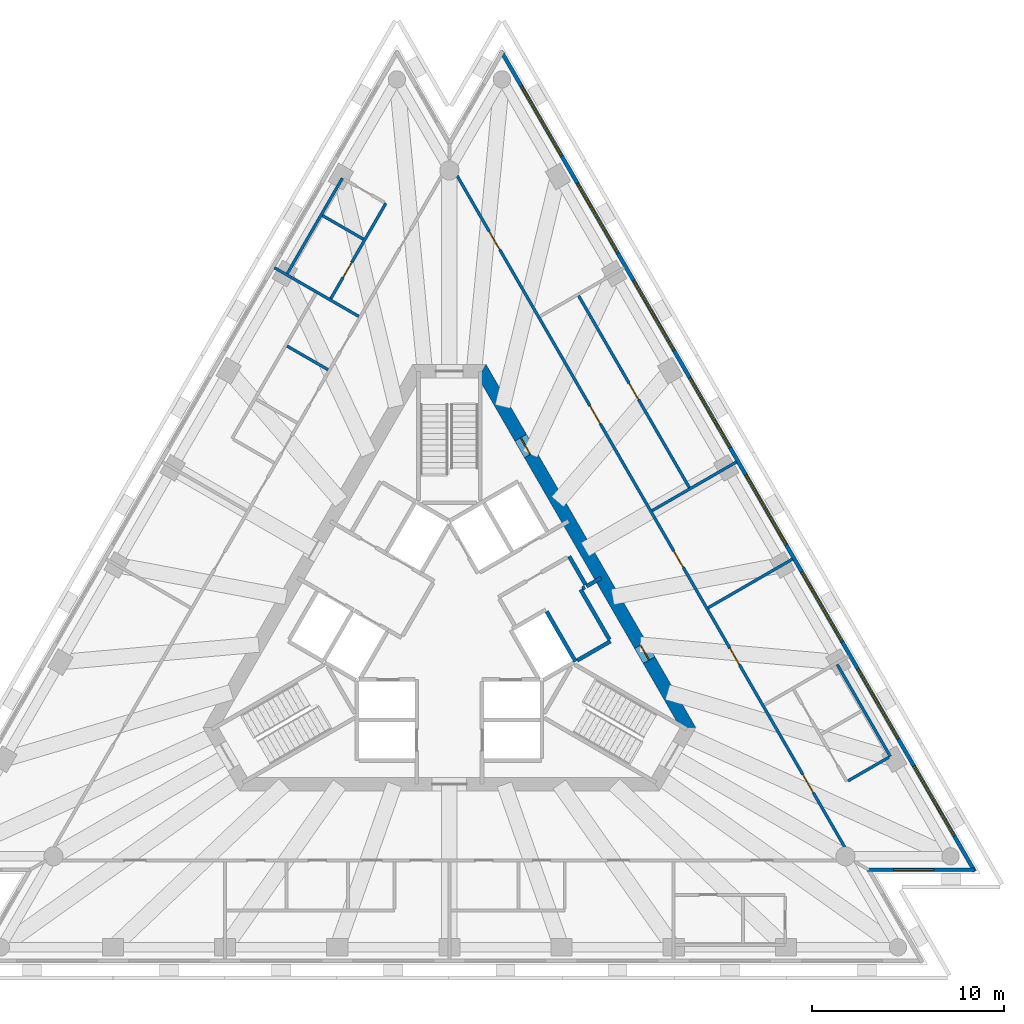
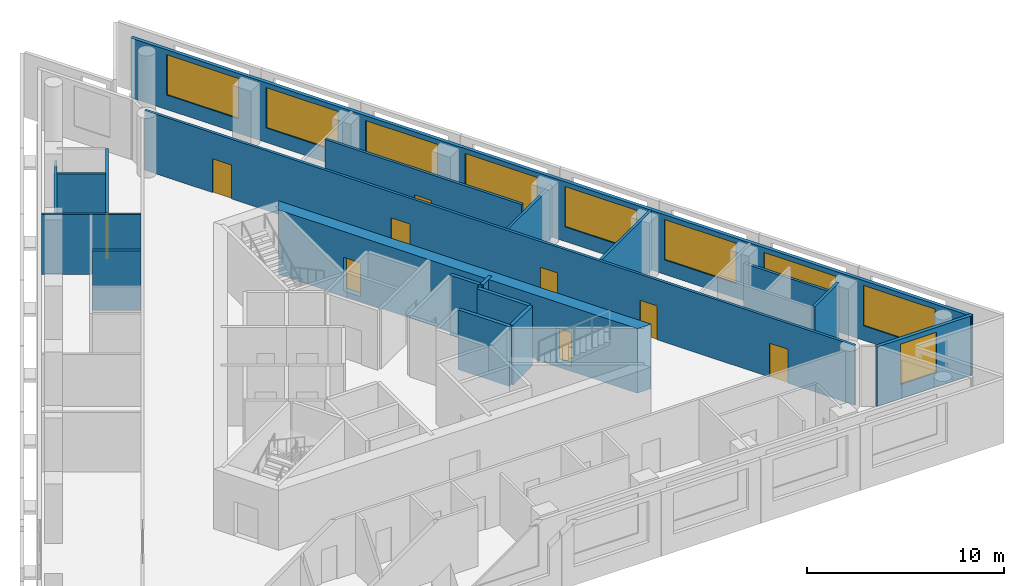
# One storey, part 6 of 10: 20 walls, 9 doors, 9 windows, 18 openings.
"""IFC4 building model written with IfcOpenShell, lengths in metres."""

from ifc_helpers import new_model, si_unit, direction, frame, frame_2d, origin, place, context, subcontext, project, spatial, polyline, rectangle, outline, extrude, material, layer, layer_set, layer_usage, type_object, element, fill, save


model = new_model("IFC4")

# Units and contexts
model_context = context("Model", 3, precision=1e-05, world=origin(), true_north=direction((0.0, 1.0)))
body_context = subcontext(model_context, "Body", "Model", "MODEL_VIEW")
ifc_project = project(units=[si_unit("LENGTHUNIT", "METRE"), si_unit("AREAUNIT", "SQUARE_METRE"), si_unit("VOLUMEUNIT", "CUBIC_METRE"), si_unit("PLANEANGLEUNIT", "RADIAN"), si_unit("MASSUNIT", "GRAM", prefix="KILO")], contexts=[model_context])

# Site, building, storey
site_placement = place(None, origin())
site = spatial("IfcSite", under=ifc_project, at=site_placement, CompositionType="ELEMENT")
building_placement = place(site_placement, origin())
building = spatial("IfcBuilding", under=site, at=building_placement, Name="Triada Interchange Tower", CompositionType="ELEMENT")
storey_placement = place(building_placement, frame((0.0, 0.0, 239.300048828125)))
storey = spatial("IfcBuildingStorey", under=building, at=storey_placement, Name="L56", CompositionType="ELEMENT", Elevation=239.300048828125)

# Walls
ifc_material_1 = material(Name="Concrete C30/37", Category="concrete")
ifc_layer_1 = layer(ifc_material_1, 0.199951171875)
ifc_layer_set_1 = layer_set([ifc_layer_1], Name="CORE WALL 200 EI 120")
wall_type_1 = type_object("IfcWallType", Name="CORE WALL 200 EI 120", PredefinedType="SOLIDWALL", material=ifc_layer_set_1)
wall_1_placement = place(storey_placement, frame((7.12890625, 2.153076171875, 0.0), z_axis=(0.0, 0.0, 1.0), x_axis=(0.866083962871, 0.499898558967, 0.0)))
element("IfcWall", 1, at=wall_1_placement, inside=storey, type_object=wall_type_1, Name="Wall L56 58", PredefinedType="SOLIDWALL", context=body_context, shape_type="SweptSolid", body=[
    extrude(rectangle(XDim=0.880126953125, YDim=0.199951171875, at=frame_2d((0.43994140625, 0.0))), origin(), (0.0, 0.0, 1.0), 3.699951171875),
])
wall_2_placement = place(storey_placement, frame((5.056884765625, 0.841064453125, 0.0), z_axis=(0.0, 0.0, 1.0), x_axis=(0.499990139034, -0.866031096941, 0.0)))
element("IfcWall", 2, at=wall_2_placement, inside=storey, type_object=wall_type_1, Name="Wall L56 61", PredefinedType="SOLIDWALL", context=body_context, shape_type="SweptSolid", body=[
    extrude(rectangle(XDim=3.0, YDim=0.199951171875, at=frame_2d((1.5, 0.0))), origin(), (0.0, 0.0, 1.0), 3.699951171875),
])
wall_3_placement = place(storey_placement, frame((6.22900390625, 3.7119140625, 0.0), z_axis=(0.0, 0.0, 1.0), x_axis=(0.499875724984, -0.86609714211, 0.0)))
element("IfcWall", 3, at=wall_3_placement, inside=storey, type_object=wall_type_1, Name="Wall L56 63", PredefinedType="SOLIDWALL", context=body_context, shape_type="SweptSolid", body=[
    extrude(rectangle(XDim=1.70068359375, YDim=0.199951171875, at=frame_2d((0.850341796875, 0.0))), origin(), (0.0, 0.0, 1.0), 3.699951171875),
])
ifc_layer_2 = layer(ifc_material_1, 0.199951171875)
ifc_layer_set_2 = layer_set([ifc_layer_2], Name="CORE WALL 200 EI 90")
wall_type_2 = type_object("IfcWallType", Name="CORE WALL 200 EI 90", PredefinedType="SOLIDWALL", material=ifc_layer_set_2)
wall_4_placement = place(storey_placement, frame((6.64208984375, -1.7080078125, 0.0), z_axis=(0.0, 0.0, 1.0), x_axis=(0.866043441391, 0.499968756647, 0.0)))
element("IfcWall", 4, at=wall_4_placement, inside=storey, type_object=wall_type_2, Name="Wall L56 81", PredefinedType="SOLIDWALL", context=body_context, shape_type="SweptSolid", body=[
    extrude(rectangle(XDim=2.002197265625, YDim=0.199951171875, at=frame_2d((1.0009765625, 0.0))), origin(), (0.0, 0.0, 1.0), 3.699951171875),
])
wall_5_placement = place(storey_placement, frame((6.825927734375, 1.97802734375, 0.0), z_axis=(0.0, 0.0, 1.0), x_axis=(0.499990139034, -0.866031096941, 0.0)))
element("IfcWall", 5, at=wall_5_placement, inside=storey, type_object=wall_type_2, Name="Wall L56 82", PredefinedType="SOLIDWALL", context=body_context, shape_type="SweptSolid", body=[
    extrude(rectangle(XDim=3.0, YDim=0.199951171875, at=frame_2d((1.5, 0.0))), origin(), (0.0, 0.0, 1.0), 3.699951171875),
])
wall_6_placement = place(storey_placement, frame((6.912109375, 2.028076171875, 0.0), z_axis=(0.0, 0.0, 1.0), x_axis=(0.866559367082, 0.499074005857, 0.0)))
element("IfcWall", 6, at=wall_6_placement, inside=storey, type_object=wall_type_2, Name="Wall L56 83", PredefinedType="SOLIDWALL", context=body_context, shape_type="SweptSolid", body=[
    extrude(rectangle(XDim=0.152099609375, YDim=0.199951171875, at=frame_2d((0.076171875, 0.0))), origin(), (0.0, 0.0, 1.0), 3.699951171875),
])

# Wall, openings, doors
ifc_material_2 = material(Name="Concrete C50/60", Category="concrete")
ifc_layer_3 = layer(ifc_material_2, 0.699951171875)
ifc_layer_set_3 = layer_set([ifc_layer_3], Name="Core wall C 700")
wall_type_3 = type_object("IfcWallType", Name="Core wall C 700", PredefinedType="SHEAR", material=ifc_layer_set_3)
wall_7_placement = place(storey_placement, frame((12.4130859375, -5.199951171875, -0.300048828125), z_axis=(0.0, 0.0, 1.0), x_axis=(-0.500011533395, 0.866018744874, 0.0)))
wall_7 = element("IfcWall", 7, at=wall_7_placement, inside=storey, type_object=wall_type_3, Name="Core wall WC06 L56", PredefinedType="SHEAR", context=body_context, shape_type="SweptSolid", body=[
    extrude(outline(polyline([(-0.201904296875, -0.35009765625), (1.781982421875, -0.35009765625), (3.76611328125, -0.35009765625), (5.75, -0.35009765625), (7.734130859375, -0.35009765625), (9.718017578125, -0.35009765625), (11.7021484375, -0.35009765625), (13.68603515625, -0.35009765625), (15.670166015625, -0.35009765625), (17.654052734375, -0.35009765625), (19.63818359375, -0.35009765625), (21.6220703125, -0.35009765625), (21.218017578125, 0.35009765625), (19.307373046875, 0.35009765625), (17.39697265625, 0.35009765625), (15.486328125, 0.35009765625), (13.57568359375, 0.35009765625), (11.665283203125, 0.35009765625), (9.754638671875, 0.35009765625), (7.84423828125, 0.35009765625), (5.93359375, 0.35009765625), (4.02294921875, 0.35009765625), (2.112548828125, 0.35009765625), (0.201904296875, 0.35009765625), (-0.201904296875, -0.35009765625)])), origin(), (0.0, 0.0, 1.0), 4.0),
])
opening_1_placement = place(wall_7_placement, frame((4.054931640625, 0.0, 0.300048828125)))
opening_1 = element("IfcOpeningElement", 8, at=opening_1_placement, cuts=wall_7, Name="Opening D56-44", PredefinedType="OPENING", context=body_context, shape_type="SweptSolid", body=[
    extrude(rectangle(XDim=0.89990234375, YDim=2.10009765625, at=frame_2d((0.449951171875, 1.050048828125))), frame((0.0, 0.360107421875, 0.0), z_axis=(0.0, -1.0, 0.0), x_axis=(1.0, 0.0, 0.0)), (0.0, 0.0, 1.0), 0.72021484375),
])
opening_2_placement = place(wall_7_placement, frame((16.4150390625, 0.0, 0.300048828125)))
opening_2 = element("IfcOpeningElement", 9, at=opening_2_placement, cuts=wall_7, Name="Opening D56-45", PredefinedType="OPENING", context=body_context, shape_type="SweptSolid", body=[
    extrude(rectangle(XDim=1.0, YDim=2.10009765625, at=frame_2d((0.5, 1.050048828125))), frame((0.0, 0.360107421875, 0.0), z_axis=(0.0, -1.0, 0.0), x_axis=(1.0, 0.0, 0.0)), (0.0, 0.0, 1.0), 0.72021484375),
])
ifc_material_3 = material(Name="Steel S235 door leaf", Category="steel")
door_type_1 = type_object("IfcDoorType", Name="SERVICE DOOR 1000 EI2 45-C5S200", OperationType="NOTDEFINED", PredefinedType="DOOR", material=ifc_material_3)
door_1_placement = place(opening_2_placement, origin())
door_1 = element("IfcDoor", 10, at=door_1_placement, inside=storey, type_object=door_type_1, Name="Door D56-45 L56", OperationType="SINGLE_SWING_RIGHT", OverallHeight=2.10009765625, OverallWidth=1.0, PredefinedType="DOOR", context=body_context, shape_type="SweptSolid", body=[
    extrude(rectangle(XDim=1.0, YDim=2.10009765625, at=frame_2d((0.5, 1.050048828125))), frame((0.0, 0.02490234375, 0.0), z_axis=(0.0, -1.0, 0.0), x_axis=(1.0, 0.0, 0.0)), (0.0, 0.0, 1.0), 0.050048828125),
])
fill(opening_2, door_1)
door_type_2 = type_object("IfcDoorType", Name="SERVICE DOOR 900 EI2 45-C5S200", OperationType="NOTDEFINED", PredefinedType="DOOR", material=ifc_material_3)
door_2_placement = place(opening_1_placement, origin())
door_2 = element("IfcDoor", 11, at=door_2_placement, inside=storey, type_object=door_type_2, Name="Door D56-44 L56", OperationType="SINGLE_SWING_RIGHT", OverallHeight=2.10009765625, OverallWidth=0.89990234375, PredefinedType="DOOR", context=body_context, shape_type="SweptSolid", body=[
    extrude(rectangle(XDim=0.89990234375, YDim=2.10009765625, at=frame_2d((0.449951171875, 1.050048828125))), frame((0.0, 0.02490234375, 0.0), z_axis=(0.0, -1.0, 0.0), x_axis=(1.0, 0.0, 0.0)), (0.0, 0.0, 1.0), 0.050048828125),
])
fill(opening_1, door_2)

# Wall, opening, window
ifc_material_4 = material(Name="Cement board")
ifc_layer_4 = layer(ifc_material_4, 0.02001953125, Name="Cement board cladding")
ifc_material_5 = material(Name="Sheathing board")
ifc_layer_5 = layer(ifc_material_5, 0.014892578125, Name="Sheathing board")
ifc_material_6 = material(Name="Mineral wool")
ifc_layer_6 = layer(ifc_material_6, 0.14990234375, Name="Mineral wool between steel studs")
ifc_material_7 = material(Name="Gypsum board")
ifc_layer_7 = layer(ifc_material_7, 0.014892578125, Name="Plasterboard lining")
ifc_layer_set_4 = layer_set([ifc_layer_4, ifc_layer_5, ifc_layer_6, ifc_layer_7], Name="External wall 200")
ifc_layer_usage = layer_usage(ifc_layer_set_4, "AXIS2", "POSITIVE", -0.10009765625)
wall_type_4 = type_object("IfcWallType", Name="External wall 200", PredefinedType="ELEMENTEDWALL", material=ifc_layer_set_4)
wall_8_placement = place(storey_placement, frame((21.720947265625, -12.593017578125, 0.0), z_axis=(0.0, 0.0, 1.0), x_axis=(1.0, 0.0, 0.0)))
wall_8 = element("IfcWall", 12, at=wall_8_placement, inside=storey, type_object=wall_type_4, material=ifc_layer_usage, Name="External wall L56 SE-2", PredefinedType="ELEMENTEDWALL", context=body_context, shape_type="SweptSolid", body=[
    extrude(rectangle(XDim=5.6240234375, YDim=0.199951171875, at=frame_2d((2.81201171875, 0.0))), origin(), (0.0, 0.0, 1.0), 3.699951171875),
])
opening_3_placement = place(wall_8_placement, frame((1.389892578125, 0.0, 0.89990234375)))
opening_3 = element("IfcOpeningElement", 13, at=opening_3_placement, cuts=wall_8, Name="Opening WC20", PredefinedType="OPENING", context=body_context, shape_type="SweptSolid", body=[
    extrude(rectangle(XDim=2.10009765625, YDim=2.5, at=frame_2d((1.050048828125, 1.25))), frame((0.0, 0.10986328125, 0.0), z_axis=(0.0, -1.0, 0.0), x_axis=(1.0, 0.0, 0.0)), (0.0, 0.0, 1.0), 0.219970703125),
])
ifc_material_8 = material(Name="Double glazed aluminium window", Category="aluminium")
window_type_1 = type_object("IfcWindowType", Name="Ribbon window C pocket", PartitioningType="SINGLE_PANEL", PredefinedType="WINDOW", material=ifc_material_8)
window_1_placement = place(opening_3_placement, origin())
window_1 = element("IfcWindow", 14, at=window_1_placement, inside=storey, type_object=window_type_1, Name="Window L56 SE-2 1", OverallHeight=2.5, OverallWidth=2.10009765625, PartitioningType="SINGLE_PANEL", PredefinedType="WINDOW", context=body_context, shape_type="SweptSolid", body=[
    extrude(rectangle(XDim=2.10009765625, YDim=2.5, at=frame_2d((1.050048828125, 1.25))), frame((0.0, 0.030029296875, 0.0), z_axis=(0.0, -1.0, 0.0), x_axis=(1.0, 0.0, 0.0)), (0.0, 0.0, 1.0), 0.06005859375),
])
fill(opening_3, window_1)

# Wall, openings, windows
wall_9_placement = place(storey_placement, frame((27.320068359375, -12.6708984375, 0.0), z_axis=(0.0, 0.0, 1.0), x_axis=(-0.499995097538, 0.866028234204, 0.0)))
wall_9 = element("IfcWall", 15, at=wall_9_placement, inside=storey, type_object=wall_type_4, material=ifc_layer_usage, Name="External wall L56 NE", PredefinedType="ELEMENTEDWALL", context=body_context, shape_type="SweptSolid", body=[
    extrude(rectangle(XDim=49.24658203125, YDim=0.199951171875, at=frame_2d((24.623291015625, 0.0))), origin(), (0.0, 0.0, 1.0), 3.699951171875),
])
opening_4_placement = place(wall_9_placement, frame((2.118896484375, 0.0, 0.89990234375)))
opening_4 = element("IfcOpeningElement", 16, at=opening_4_placement, cuts=wall_9, Name="Opening WC21", PredefinedType="OPENING", context=body_context, shape_type="SweptSolid", body=[
    extrude(rectangle(XDim=4.199951171875, YDim=2.5, at=frame_2d((2.10009765625, 1.25))), frame((0.0, 0.10986328125, 0.0), z_axis=(0.0, -1.0, 0.0), x_axis=(1.0, 0.0, 0.0)), (0.0, 0.0, 1.0), 0.219970703125),
])
opening_5_placement = place(wall_9_placement, frame((7.951904296875, 0.0, 0.89990234375)))
opening_5 = element("IfcOpeningElement", 17, at=opening_5_placement, cuts=wall_9, Name="Opening WC22", PredefinedType="OPENING", context=body_context, shape_type="SweptSolid", body=[
    extrude(rectangle(XDim=4.199951171875, YDim=2.5, at=frame_2d((2.10009765625, 1.25))), frame((0.0, 0.10986328125, 0.0), z_axis=(0.0, -1.0, 0.0), x_axis=(1.0, 0.0, 0.0)), (0.0, 0.0, 1.0), 0.219970703125),
])
opening_6_placement = place(wall_9_placement, frame((13.783935546875, 0.0, 0.89990234375)))
opening_6 = element("IfcOpeningElement", 18, at=opening_6_placement, cuts=wall_9, Name="Opening WC23", PredefinedType="OPENING", context=body_context, shape_type="SweptSolid", body=[
    extrude(rectangle(XDim=4.199951171875, YDim=2.5, at=frame_2d((2.10009765625, 1.25))), frame((0.0, 0.10986328125, 0.0), z_axis=(0.0, -1.0, 0.0), x_axis=(1.0, 0.0, 0.0)), (0.0, 0.0, 1.0), 0.219970703125),
])
opening_7_placement = place(wall_9_placement, frame((19.616943359375, 0.0, 0.89990234375)))
opening_7 = element("IfcOpeningElement", 19, at=opening_7_placement, cuts=wall_9, Name="Opening WC24", PredefinedType="OPENING", context=body_context, shape_type="SweptSolid", body=[
    extrude(rectangle(XDim=4.199951171875, YDim=2.5, at=frame_2d((2.10009765625, 1.25))), frame((0.0, 0.10986328125, 0.0), z_axis=(0.0, -1.0, 0.0), x_axis=(1.0, 0.0, 0.0)), (0.0, 0.0, 1.0), 0.219970703125),
])
opening_8_placement = place(wall_9_placement, frame((25.449951171875, 0.0, 0.89990234375)))
opening_8 = element("IfcOpeningElement", 20, at=opening_8_placement, cuts=wall_9, Name="Opening WC25", PredefinedType="OPENING", context=body_context, shape_type="SweptSolid", body=[
    extrude(rectangle(XDim=4.199951171875, YDim=2.5, at=frame_2d((2.10009765625, 1.25))), frame((0.0, 0.10986328125, 0.0), z_axis=(0.0, -1.0, 0.0), x_axis=(1.0, 0.0, 0.0)), (0.0, 0.0, 1.0), 0.219970703125),
])
opening_9_placement = place(wall_9_placement, frame((31.281982421875, 0.0, 0.89990234375)))
opening_9 = element("IfcOpeningElement", 21, at=opening_9_placement, cuts=wall_9, Name="Opening WC26", PredefinedType="OPENING", context=body_context, shape_type="SweptSolid", body=[
    extrude(rectangle(XDim=4.199951171875, YDim=2.5, at=frame_2d((2.10009765625, 1.25))), frame((0.0, 0.10986328125, 0.0), z_axis=(0.0, -1.0, 0.0), x_axis=(1.0, 0.0, 0.0)), (0.0, 0.0, 1.0), 0.219970703125),
])
opening_10_placement = place(wall_9_placement, frame((37.114990234375, 0.0, 0.89990234375)))
opening_10 = element("IfcOpeningElement", 22, at=opening_10_placement, cuts=wall_9, Name="Opening WC27", PredefinedType="OPENING", context=body_context, shape_type="SweptSolid", body=[
    extrude(rectangle(XDim=4.199951171875, YDim=2.5, at=frame_2d((2.10009765625, 1.25))), frame((0.0, 0.10986328125, 0.0), z_axis=(0.0, -1.0, 0.0), x_axis=(1.0, 0.0, 0.0)), (0.0, 0.0, 1.0), 0.219970703125),
])
opening_11_placement = place(wall_9_placement, frame((42.947021484375, 0.0, 0.89990234375)))
opening_11 = element("IfcOpeningElement", 23, at=opening_11_placement, cuts=wall_9, Name="Opening WC28", PredefinedType="OPENING", context=body_context, shape_type="SweptSolid", body=[
    extrude(rectangle(XDim=4.199951171875, YDim=2.5, at=frame_2d((2.10009765625, 1.25))), frame((0.0, 0.10986328125, 0.0), z_axis=(0.0, -1.0, 0.0), x_axis=(1.0, 0.0, 0.0)), (0.0, 0.0, 1.0), 0.219970703125),
])
window_type_2 = type_object("IfcWindowType", Name="Ribbon window C face", PartitioningType="SINGLE_PANEL", PredefinedType="WINDOW", material=ifc_material_8)
window_2_placement = place(opening_4_placement, origin())
window_2 = element("IfcWindow", 24, at=window_2_placement, inside=storey, type_object=window_type_2, Name="Window L56 NE 1", OverallHeight=2.5, OverallWidth=4.199951171875, PartitioningType="SINGLE_PANEL", PredefinedType="WINDOW", context=body_context, shape_type="SweptSolid", body=[
    extrude(rectangle(XDim=4.199951171875, YDim=2.5, at=frame_2d((2.10009765625, 1.25))), frame((0.0, 0.030029296875, 0.0), z_axis=(0.0, -1.0, 0.0), x_axis=(1.0, 0.0, 0.0)), (0.0, 0.0, 1.0), 0.06005859375),
])
fill(opening_4, window_2)
window_3_placement = place(opening_5_placement, origin())
window_3 = element("IfcWindow", 25, at=window_3_placement, inside=storey, type_object=window_type_2, Name="Window L56 NE 2", OverallHeight=2.5, OverallWidth=4.199951171875, PartitioningType="SINGLE_PANEL", PredefinedType="WINDOW", context=body_context, shape_type="SweptSolid", body=[
    extrude(rectangle(XDim=4.199951171875, YDim=2.5, at=frame_2d((2.10009765625, 1.25))), frame((0.0, 0.030029296875, 0.0), z_axis=(0.0, -1.0, 0.0), x_axis=(1.0, 0.0, 0.0)), (0.0, 0.0, 1.0), 0.06005859375),
])
fill(opening_5, window_3)
window_4_placement = place(opening_6_placement, origin())
window_4 = element("IfcWindow", 26, at=window_4_placement, inside=storey, type_object=window_type_2, Name="Window L56 NE 3", OverallHeight=2.5, OverallWidth=4.199951171875, PartitioningType="SINGLE_PANEL", PredefinedType="WINDOW", context=body_context, shape_type="SweptSolid", body=[
    extrude(rectangle(XDim=4.199951171875, YDim=2.5, at=frame_2d((2.10009765625, 1.25))), frame((0.0, 0.030029296875, 0.0), z_axis=(0.0, -1.0, 0.0), x_axis=(1.0, 0.0, 0.0)), (0.0, 0.0, 1.0), 0.06005859375),
])
fill(opening_6, window_4)
window_5_placement = place(opening_7_placement, origin())
window_5 = element("IfcWindow", 27, at=window_5_placement, inside=storey, type_object=window_type_2, Name="Window L56 NE 4", OverallHeight=2.5, OverallWidth=4.199951171875, PartitioningType="SINGLE_PANEL", PredefinedType="WINDOW", context=body_context, shape_type="SweptSolid", body=[
    extrude(rectangle(XDim=4.199951171875, YDim=2.5, at=frame_2d((2.10009765625, 1.25))), frame((0.0, 0.030029296875, 0.0), z_axis=(0.0, -1.0, 0.0), x_axis=(1.0, 0.0, 0.0)), (0.0, 0.0, 1.0), 0.06005859375),
])
fill(opening_7, window_5)
window_6_placement = place(opening_8_placement, origin())
window_6 = element("IfcWindow", 28, at=window_6_placement, inside=storey, type_object=window_type_2, Name="Window L56 NE 5", OverallHeight=2.5, OverallWidth=4.199951171875, PartitioningType="SINGLE_PANEL", PredefinedType="WINDOW", context=body_context, shape_type="SweptSolid", body=[
    extrude(rectangle(XDim=4.199951171875, YDim=2.5, at=frame_2d((2.10009765625, 1.25))), frame((0.0, 0.030029296875, 0.0), z_axis=(0.0, -1.0, 0.0), x_axis=(1.0, 0.0, 0.0)), (0.0, 0.0, 1.0), 0.06005859375),
])
fill(opening_8, window_6)
window_7_placement = place(opening_9_placement, origin())
window_7 = element("IfcWindow", 29, at=window_7_placement, inside=storey, type_object=window_type_2, Name="Window L56 NE 6", OverallHeight=2.5, OverallWidth=4.199951171875, PartitioningType="SINGLE_PANEL", PredefinedType="WINDOW", context=body_context, shape_type="SweptSolid", body=[
    extrude(rectangle(XDim=4.199951171875, YDim=2.5, at=frame_2d((2.10009765625, 1.25))), frame((0.0, 0.030029296875, 0.0), z_axis=(0.0, -1.0, 0.0), x_axis=(1.0, 0.0, 0.0)), (0.0, 0.0, 1.0), 0.06005859375),
])
fill(opening_9, window_7)
window_8_placement = place(opening_10_placement, origin())
window_8 = element("IfcWindow", 30, at=window_8_placement, inside=storey, type_object=window_type_2, Name="Window L56 NE 7", OverallHeight=2.5, OverallWidth=4.199951171875, PartitioningType="SINGLE_PANEL", PredefinedType="WINDOW", context=body_context, shape_type="SweptSolid", body=[
    extrude(rectangle(XDim=4.199951171875, YDim=2.5, at=frame_2d((2.10009765625, 1.25))), frame((0.0, 0.030029296875, 0.0), z_axis=(0.0, -1.0, 0.0), x_axis=(1.0, 0.0, 0.0)), (0.0, 0.0, 1.0), 0.06005859375),
])
fill(opening_10, window_8)
window_9_placement = place(opening_11_placement, origin())
window_9 = element("IfcWindow", 31, at=window_9_placement, inside=storey, type_object=window_type_2, Name="Window L56 NE 8", OverallHeight=2.5, OverallWidth=4.199951171875, PartitioningType="SINGLE_PANEL", PredefinedType="WINDOW", context=body_context, shape_type="SweptSolid", body=[
    extrude(rectangle(XDim=4.199951171875, YDim=2.5, at=frame_2d((2.10009765625, 1.25))), frame((0.0, 0.030029296875, 0.0), z_axis=(0.0, -1.0, 0.0), x_axis=(1.0, 0.0, 0.0)), (0.0, 0.0, 1.0), 0.06005859375),
])
fill(opening_11, window_9)

# Walls
ifc_material_9 = material(Name="Gypsum board partition")
ifc_layer_8 = layer(ifc_material_9, 0.14990234375)
ifc_layer_set_5 = layer_set([ifc_layer_8], Name="PARTITION 150 EI 180")
wall_type_5 = type_object("IfcWallType", Name="PARTITION 150 EI 180", PredefinedType="PARTITIONING", material=ifc_layer_set_5)
wall_10_placement = place(storey_placement, frame((10.5439453125, 6.087890625, 0.0), z_axis=(0.0, 0.0, 1.0), x_axis=(0.866065287345, 0.499930913282, 0.0)))
element("IfcWall", 32, at=wall_10_placement, inside=storey, type_object=wall_type_5, Name="Wall L56 2", PredefinedType="PARTITIONING", context=body_context, shape_type="SweptSolid", body=[
    extrude(rectangle(XDim=5.069091796875, YDim=0.14990234375, at=frame_2d((2.53466796875, 0.0))), origin(), (0.0, 0.0, 1.0), 3.199951171875),
])
wall_11_placement = place(storey_placement, frame((-9.10107421875, 18.72412109375, 0.0), z_axis=(0.0, 0.0, 1.0), x_axis=(0.866065287345, -0.499930913282, 0.0)))
element("IfcWall", 33, at=wall_11_placement, inside=storey, type_object=wall_type_5, Name="Wall L56 14", PredefinedType="PARTITIONING", context=body_context, shape_type="SweptSolid", body=[
    extrude(rectangle(XDim=5.069091796875, YDim=0.14990234375, at=frame_2d((2.53466796875, 0.0))), origin(), (0.0, 0.0, 1.0), 3.699951171875),
])
wall_12_placement = place(storey_placement, frame((-8.444091796875, 14.64892578125, 0.0), z_axis=(0.0, 0.0, 1.0), x_axis=(0.86612451545, -0.499828294254, 0.0)))
element("IfcWall", 34, at=wall_12_placement, inside=storey, type_object=wall_type_5, Name="Wall L56 15", PredefinedType="PARTITIONING", context=body_context, shape_type="SweptSolid", body=[
    extrude(rectangle(XDim=2.462646484375, YDim=0.14990234375, at=frame_2d((1.2314453125, 0.0))), origin(), (0.0, 0.0, 1.0), 3.699951171875),
])

# Wall, openings, doors
wall_13_placement = place(storey_placement, frame((0.074951171875, 24.070068359375, 0.0), z_axis=(0.0, 0.0, 1.0), x_axis=(0.500006834213, -0.866021458014, 0.0)))
wall_13 = element("IfcWall", 35, at=wall_13_placement, inside=storey, type_object=wall_type_5, Name="Wall L56 21", PredefinedType="PARTITIONING", context=body_context, shape_type="SweptSolid", body=[
    extrude(rectangle(XDim=41.61572265625, YDim=0.14990234375, at=frame_2d((20.807861328125, 0.0))), origin(), (0.0, 0.0, 1.0), 3.699951171875),
])
opening_12_placement = place(wall_13_placement, frame((36.615966796875, 0.0, 0.0)))
opening_12 = element("IfcOpeningElement", 36, at=opening_12_placement, cuts=wall_13, Name="Opening D56-22", PredefinedType="OPENING", context=body_context, shape_type="SweptSolid", body=[
    extrude(rectangle(XDim=1.10009765625, YDim=2.10009765625, at=frame_2d((0.550048828125, 1.050048828125))), frame((0.0, 0.0849609375, 0.0), z_axis=(0.0, -1.0, 0.0), x_axis=(1.0, 0.0, 0.0)), (0.0, 0.0, 1.0), 0.169921875),
])
opening_13_placement = place(wall_13_placement, frame((29.02392578125, 0.0, 0.0)))
opening_13 = element("IfcOpeningElement", 37, at=opening_13_placement, cuts=wall_13, Name="Opening D56-25", PredefinedType="OPENING", context=body_context, shape_type="SweptSolid", body=[
    extrude(rectangle(XDim=1.0, YDim=2.10009765625, at=frame_2d((0.5, 1.050048828125))), frame((0.0, 0.0849609375, 0.0), z_axis=(0.0, -1.0, 0.0), x_axis=(1.0, 0.0, 0.0)), (0.0, 0.0, 1.0), 0.169921875),
])
opening_14_placement = place(wall_13_placement, frame((23.18994140625, 0.0, 0.0)))
opening_14 = element("IfcOpeningElement", 38, at=opening_14_placement, cuts=wall_13, Name="Opening D56-26", PredefinedType="OPENING", context=body_context, shape_type="SweptSolid", body=[
    extrude(rectangle(XDim=1.0, YDim=2.10009765625, at=frame_2d((0.5, 1.050048828125))), frame((0.0, 0.0849609375, 0.0), z_axis=(0.0, -1.0, 0.0), x_axis=(1.0, 0.0, 0.0)), (0.0, 0.0, 1.0), 0.169921875),
])
opening_15_placement = place(wall_13_placement, frame((14.4580078125, 0.0, 0.0)))
opening_15 = element("IfcOpeningElement", 39, at=opening_15_placement, cuts=wall_13, Name="Opening D56-27", PredefinedType="OPENING", context=body_context, shape_type="SweptSolid", body=[
    extrude(rectangle(XDim=1.10009765625, YDim=2.10009765625, at=frame_2d((0.550048828125, 1.050048828125))), frame((0.0, 0.0849609375, 0.0), z_axis=(0.0, -1.0, 0.0), x_axis=(1.0, 0.0, 0.0)), (0.0, 0.0, 1.0), 0.169921875),
])
opening_16_placement = place(wall_13_placement, frame((3.992919921875, 0.0, 0.0)))
opening_16 = element("IfcOpeningElement", 40, at=opening_16_placement, cuts=wall_13, Name="Opening D56-29", PredefinedType="OPENING", context=body_context, shape_type="SweptSolid", body=[
    extrude(rectangle(XDim=1.10009765625, YDim=2.10009765625, at=frame_2d((0.550048828125, 1.050048828125))), frame((0.0, 0.0849609375, 0.0), z_axis=(0.0, -1.0, 0.0), x_axis=(1.0, 0.0, 0.0)), (0.0, 0.0, 1.0), 0.169921875),
])
door_type_3 = type_object("IfcDoorType", Name="ROOM DOOR 1000 EI2 90-C5S200", OperationType="NOTDEFINED", PredefinedType="DOOR", material=ifc_material_3)
door_3_placement = place(opening_13_placement, origin())
door_3 = element("IfcDoor", 41, at=door_3_placement, inside=storey, type_object=door_type_3, Name="Door D56-25 L56", OperationType="SINGLE_SWING_RIGHT", OverallHeight=2.10009765625, OverallWidth=1.0, PredefinedType="DOOR", context=body_context, shape_type="SweptSolid", body=[
    extrude(rectangle(XDim=1.0, YDim=2.10009765625, at=frame_2d((0.5, 1.050048828125))), frame((0.0, 0.02490234375, 0.0), z_axis=(0.0, -1.0, 0.0), x_axis=(1.0, 0.0, 0.0)), (0.0, 0.0, 1.0), 0.050048828125),
])
fill(opening_13, door_3)
door_4_placement = place(opening_14_placement, origin())
door_4 = element("IfcDoor", 42, at=door_4_placement, inside=storey, type_object=door_type_3, Name="Door D56-26 L56", OperationType="SINGLE_SWING_RIGHT", OverallHeight=2.10009765625, OverallWidth=1.0, PredefinedType="DOOR", context=body_context, shape_type="SweptSolid", body=[
    extrude(rectangle(XDim=1.0, YDim=2.10009765625, at=frame_2d((0.5, 1.050048828125))), frame((0.0, 0.02490234375, 0.0), z_axis=(0.0, -1.0, 0.0), x_axis=(1.0, 0.0, 0.0)), (0.0, 0.0, 1.0), 0.050048828125),
])
fill(opening_14, door_4)
door_type_4 = type_object("IfcDoorType", Name="TENANCY ENTRANCE DOOR 1100 EI2 90-C5S200", OperationType="NOTDEFINED", PredefinedType="DOOR", material=ifc_material_3)
door_5_placement = place(opening_12_placement, origin())
door_5 = element("IfcDoor", 43, at=door_5_placement, inside=storey, type_object=door_type_4, Name="Door D56-22 L56", OperationType="SINGLE_SWING_RIGHT", OverallHeight=2.10009765625, OverallWidth=1.10009765625, PredefinedType="DOOR", context=body_context, shape_type="SweptSolid", body=[
    extrude(rectangle(XDim=1.10009765625, YDim=2.10009765625, at=frame_2d((0.550048828125, 1.050048828125))), frame((0.0, 0.02490234375, 0.0), z_axis=(0.0, -1.0, 0.0), x_axis=(1.0, 0.0, 0.0)), (0.0, 0.0, 1.0), 0.050048828125),
])
fill(opening_12, door_5)
door_6_placement = place(opening_15_placement, origin())
door_6 = element("IfcDoor", 44, at=door_6_placement, inside=storey, type_object=door_type_4, Name="Door D56-27 L56", OperationType="SINGLE_SWING_LEFT", OverallHeight=2.10009765625, OverallWidth=1.10009765625, PredefinedType="DOOR", context=body_context, shape_type="SweptSolid", body=[
    extrude(rectangle(XDim=1.10009765625, YDim=2.10009765625, at=frame_2d((0.550048828125, 1.050048828125))), frame((0.0, 0.02490234375, 0.0), z_axis=(0.0, -1.0, 0.0), x_axis=(1.0, 0.0, 0.0)), (0.0, 0.0, 1.0), 0.050048828125),
])
fill(opening_15, door_6)
door_7_placement = place(opening_16_placement, origin())
door_7 = element("IfcDoor", 45, at=door_7_placement, inside=storey, type_object=door_type_4, Name="Door D56-29 L56", OperationType="SINGLE_SWING_LEFT", OverallHeight=2.10009765625, OverallWidth=1.10009765625, PredefinedType="DOOR", context=body_context, shape_type="SweptSolid", body=[
    extrude(rectangle(XDim=1.10009765625, YDim=2.10009765625, at=frame_2d((0.550048828125, 1.050048828125))), frame((0.0, 0.02490234375, 0.0), z_axis=(0.0, -1.0, 0.0), x_axis=(1.0, 0.0, 0.0)), (0.0, 0.0, 1.0), 0.050048828125),
])
fill(opening_16, door_7)

# Walls
wall_14_placement = place(storey_placement, frame((13.4599609375, 1.037109375, 0.0), z_axis=(0.0, 0.0, 1.0), x_axis=(0.866086140321, 0.499894786475, 0.0)))
element("IfcWall", 46, at=wall_14_placement, inside=storey, type_object=wall_type_5, Name="Wall L56 26", PredefinedType="PARTITIONING", context=body_context, shape_type="SweptSolid", body=[
    extrude(rectangle(XDim=5.06884765625, YDim=0.14990234375, at=frame_2d((2.534423828125, 0.0))), origin(), (0.0, 0.0, 1.0), 3.699951171875),
])
ifc_layer_9 = layer(ifc_material_9, 0.14990234375)
ifc_layer_set_6 = layer_set([ifc_layer_9], Name="PARTITION 150 EI 90")
wall_type_6 = type_object("IfcWallType", Name="PARTITION 150 EI 90", PredefinedType="PARTITIONING", material=ifc_layer_set_6)
wall_15_placement = place(storey_placement, frame((-8.429931640625, 18.423095703125, 0.0), z_axis=(0.0, 0.0, 1.0), x_axis=(0.500069422629, 0.865985318901, 0.0)))
element("IfcWall", 47, at=wall_15_placement, inside=storey, type_object=wall_type_6, Name="Wall L56 28", PredefinedType="PARTITIONING", context=body_context, shape_type="SweptSolid", body=[
    extrude(rectangle(XDim=5.725341796875, YDim=0.14990234375, at=frame_2d((2.86279296875, 0.0))), origin(), (0.0, 0.0, 1.0), 2.949951171875),
])

# Wall, opening, door
wall_16_placement = place(storey_placement, frame((-6.16796875, 17.116943359375, 0.0), z_axis=(0.0, 0.0, 1.0), x_axis=(0.500069422629, 0.865985318901, 0.0)))
wall_16 = element("IfcWall", 48, at=wall_16_placement, inside=storey, type_object=wall_type_6, Name="Wall L56 29", PredefinedType="PARTITIONING", context=body_context, shape_type="SweptSolid", body=[
    extrude(rectangle(XDim=5.725341796875, YDim=0.14990234375, at=frame_2d((2.86279296875, 0.0))), origin(), (0.0, 0.0, 1.0), 3.699951171875),
])
opening_17_placement = place(wall_16_placement, frame((1.27490234375, 0.0, 0.0)))
opening_17 = element("IfcOpeningElement", 49, at=opening_17_placement, cuts=wall_16, Name="Opening D56-31", PredefinedType="OPENING", context=body_context, shape_type="SweptSolid", body=[
    extrude(rectangle(XDim=0.89990234375, YDim=2.10009765625, at=frame_2d((0.449951171875, 1.050048828125))), frame((0.0, 0.0849609375, 0.0), z_axis=(0.0, -1.0, 0.0), x_axis=(1.0, 0.0, 0.0)), (0.0, 0.0, 1.0), 0.169921875),
])
door_type_5 = type_object("IfcDoorType", Name="ROOM DOOR 900 EI2 45-C5S200", OperationType="NOTDEFINED", PredefinedType="DOOR", material=ifc_material_3)
door_8_placement = place(opening_17_placement, origin())
door_8 = element("IfcDoor", 50, at=door_8_placement, inside=storey, type_object=door_type_5, Name="Door D56-31 L56", OperationType="SINGLE_SWING_LEFT", OverallHeight=2.10009765625, OverallWidth=0.89990234375, PredefinedType="DOOR", context=body_context, shape_type="SweptSolid", body=[
    extrude(rectangle(XDim=0.89990234375, YDim=2.10009765625, at=frame_2d((0.449951171875, 1.050048828125))), frame((0.0, 0.02490234375, 0.0), z_axis=(0.0, -1.0, 0.0), x_axis=(1.0, 0.0, 0.0)), (0.0, 0.0, 1.0), 0.050048828125),
])
fill(opening_17, door_8)

# Wall
wall_17_placement = place(storey_placement, frame((-6.60205078125, 21.43798828125, 0.0), z_axis=(0.0, 0.0, 1.0), x_axis=(0.866025399526, -0.500000007376, 0.0)))
element("IfcWall", 51, at=wall_17_placement, inside=storey, type_object=wall_type_6, Name="Wall L56 31", PredefinedType="PARTITIONING", context=body_context, shape_type="SweptSolid", body=[
    extrude(rectangle(XDim=2.4619140625, YDim=0.14990234375, at=frame_2d((1.23095703125, 0.0))), origin(), (0.0, 0.0, 1.0), 3.699951171875),
])

# Wall, opening, door
wall_18_placement = place(storey_placement, frame((6.719970703125, 17.262939453125, 0.0), z_axis=(0.0, 0.0, 1.0), x_axis=(0.499949415664, -0.866054606695, 0.0)))
wall_18 = element("IfcWall", 52, at=wall_18_placement, inside=storey, type_object=wall_type_6, Name="Wall L56 32", PredefinedType="PARTITIONING", context=body_context, shape_type="SweptSolid", body=[
    extrude(rectangle(XDim=11.515380859375, YDim=0.14990234375, at=frame_2d((5.7578125, 0.0))), origin(), (0.0, 0.0, 1.0), 3.699951171875),
])
opening_18_placement = place(wall_18_placement, frame((5.239990234375, 0.0, 0.0)))
opening_18 = element("IfcOpeningElement", 53, at=opening_18_placement, cuts=wall_18, Name="Opening D56-28", PredefinedType="OPENING", context=body_context, shape_type="SweptSolid", body=[
    extrude(rectangle(XDim=1.0, YDim=2.10009765625, at=frame_2d((0.5, 1.050048828125))), frame((0.0, 0.0849609375, 0.0), z_axis=(0.0, -1.0, 0.0), x_axis=(1.0, 0.0, 0.0)), (0.0, 0.0, 1.0), 0.169921875),
])
door_type_6 = type_object("IfcDoorType", Name="ROOM DOOR 1000 EI2 45-C5S200", OperationType="NOTDEFINED", PredefinedType="DOOR", material=ifc_material_3)
door_9_placement = place(opening_18_placement, origin())
door_9 = element("IfcDoor", 54, at=door_9_placement, inside=storey, type_object=door_type_6, Name="Door D56-28 L56", OperationType="SINGLE_SWING_RIGHT", OverallHeight=2.10009765625, OverallWidth=1.0, PredefinedType="DOOR", context=body_context, shape_type="SweptSolid", body=[
    extrude(rectangle(XDim=1.0, YDim=2.10009765625, at=frame_2d((0.5, 1.050048828125))), frame((0.0, 0.02490234375, 0.0), z_axis=(0.0, -1.0, 0.0), x_axis=(1.0, 0.0, 0.0)), (0.0, 0.0, 1.0), 0.050048828125),
])
fill(opening_18, door_9)

# Walls
wall_19_placement = place(storey_placement, frame((20.169921875, -1.912109375, 0.0), z_axis=(0.0, 0.0, 1.0), x_axis=(0.500083244257, -0.865977337356, 0.0)))
element("IfcWall", 55, at=wall_19_placement, inside=storey, type_object=wall_type_6, Name="Wall L56 38", PredefinedType="PARTITIONING", context=body_context, shape_type="SweptSolid", body=[
    extrude(rectangle(XDim=5.525390625, YDim=0.14990234375, at=frame_2d((2.7626953125, 0.0))), origin(), (0.0, 0.0, 1.0), 2.949951171875),
])
wall_20_placement = place(storey_placement, frame((20.736083984375, -7.965087890625, 0.0), z_axis=(0.0, 0.0, 1.0), x_axis=(0.865957656801, 0.500117322864, 0.0)))
element("IfcWall", 56, at=wall_20_placement, inside=storey, type_object=wall_type_6, Name="Wall L56 40", PredefinedType="PARTITIONING", context=body_context, shape_type="SweptSolid", body=[
    extrude(rectangle(XDim=2.4619140625, YDim=0.14990234375, at=frame_2d((1.23095703125, 0.0))), origin(), (0.0, 0.0, 1.0), 3.699951171875),
])

save(model, "model.ifc")
